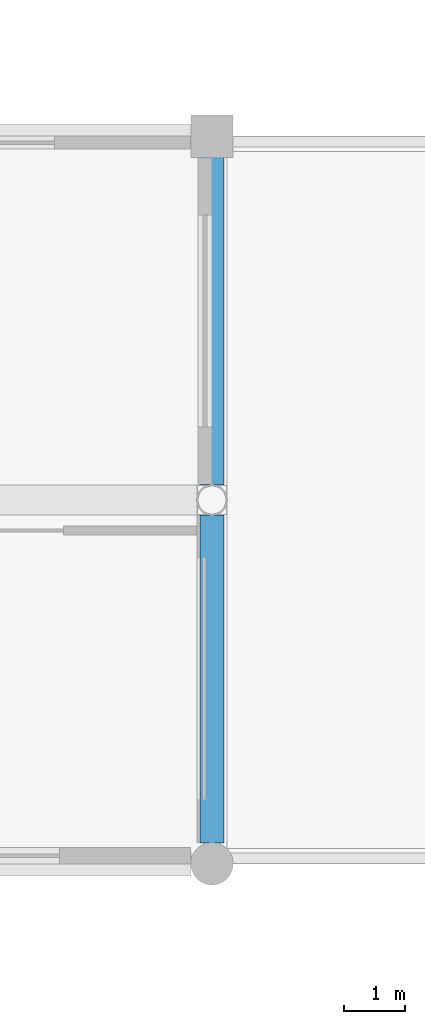
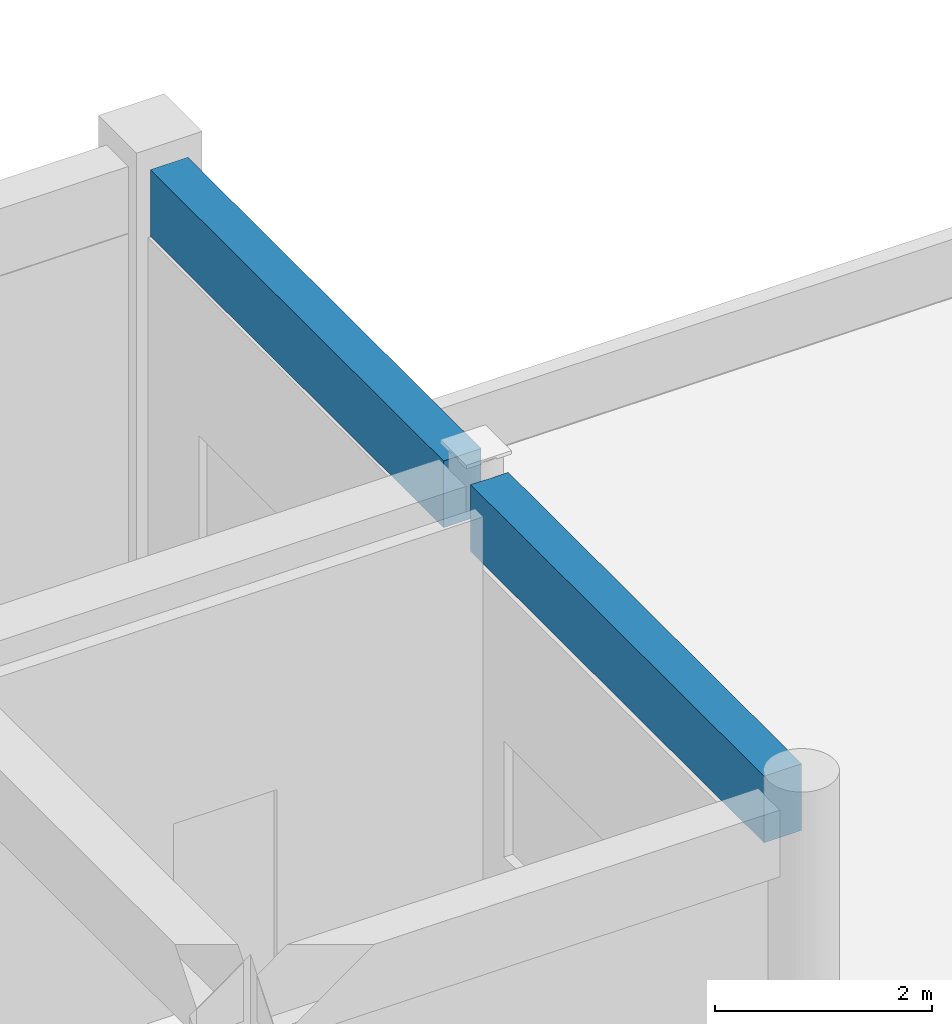
# One storey, part 50 of 123: 2 beams.
"""IFC4 building model written with IfcOpenShell, lengths in metres."""

from ifc_helpers import new_model, si_unit, direction, frame, origin, origin_2d, place, context, subcontext, project, spatial, rectangle, extrude, material, material_profile, profile_set, type_object, element, save


model = new_model("IFC4")

# Units and contexts
model_context = context("Model", 3, precision=1e-05, world=origin(), true_north=direction((0.0, 1.0)))
body_context = subcontext(model_context, "Body", "Model", "MODEL_VIEW")
ifc_project = project(units=[si_unit("LENGTHUNIT", "METRE"), si_unit("AREAUNIT", "SQUARE_METRE"), si_unit("VOLUMEUNIT", "CUBIC_METRE"), si_unit("PLANEANGLEUNIT", "RADIAN"), si_unit("MASSUNIT", "GRAM", prefix="KILO"), si_unit("THERMODYNAMICTEMPERATUREUNIT", "KELVIN"), si_unit("POWERUNIT", "WATT")], contexts=[model_context])

# Site, building, storey
site_placement = place(None, origin())
site = spatial("IfcSite", under=ifc_project, at=site_placement, CompositionType="ELEMENT")
building_placement = place(site_placement, origin())
building = spatial("IfcBuilding", under=site, at=building_placement, Name="Phaisarnlok Congress Hotel", CompositionType="ELEMENT")
storey_placement = place(building_placement, frame((0.0, 0.0, 15.0)))
storey = spatial("IfcBuildingStorey", under=building, at=storey_placement, Name="L03", CompositionType="ELEMENT", Elevation=15.0)

# Beams
ifc_material = material(Name="Concrete C40/50", Category="concrete")
ifc_material_profile = material_profile(ifc_material, rectangle(XDim=0.39990234375, YDim=0.75, at=origin_2d()), Name="RC 400x750")
ifc_profile_set = profile_set([ifc_material_profile], Name="Concrete C40/50")
beam_type = type_object("IfcBeamType", Name="SP-RC-400x750", PredefinedType="SPANDREL", material=ifc_profile_set)
for number, where, z_axis, x_axis, name in (
    (1, (96.0, 84.344970703125, 4.219970703125), (0.0, 1.0, 0.0), (-1.0, 0.0, 0.0), "Beam SP-02"),
    (2, (96.0, 90.2490234375, 4.18505859375), (0.0, 1.0, 0.0), (-1.0, 0.0, 0.0), "Beam SP-02"),
):
    element("IfcBeam", number, at=place(storey_placement, frame(where, z_axis=z_axis, x_axis=x_axis)), inside=storey, type_object=beam_type, Name=name, PredefinedType="SPANDREL", context=body_context, shape_type="SweptSolid", body=[
        extrude(rectangle(XDim=0.39990234375, YDim=0.75, at=origin_2d()), origin(), (0.0, 0.0, 1.0), 5.406005859375),
    ])

save(model, "model.ifc")
